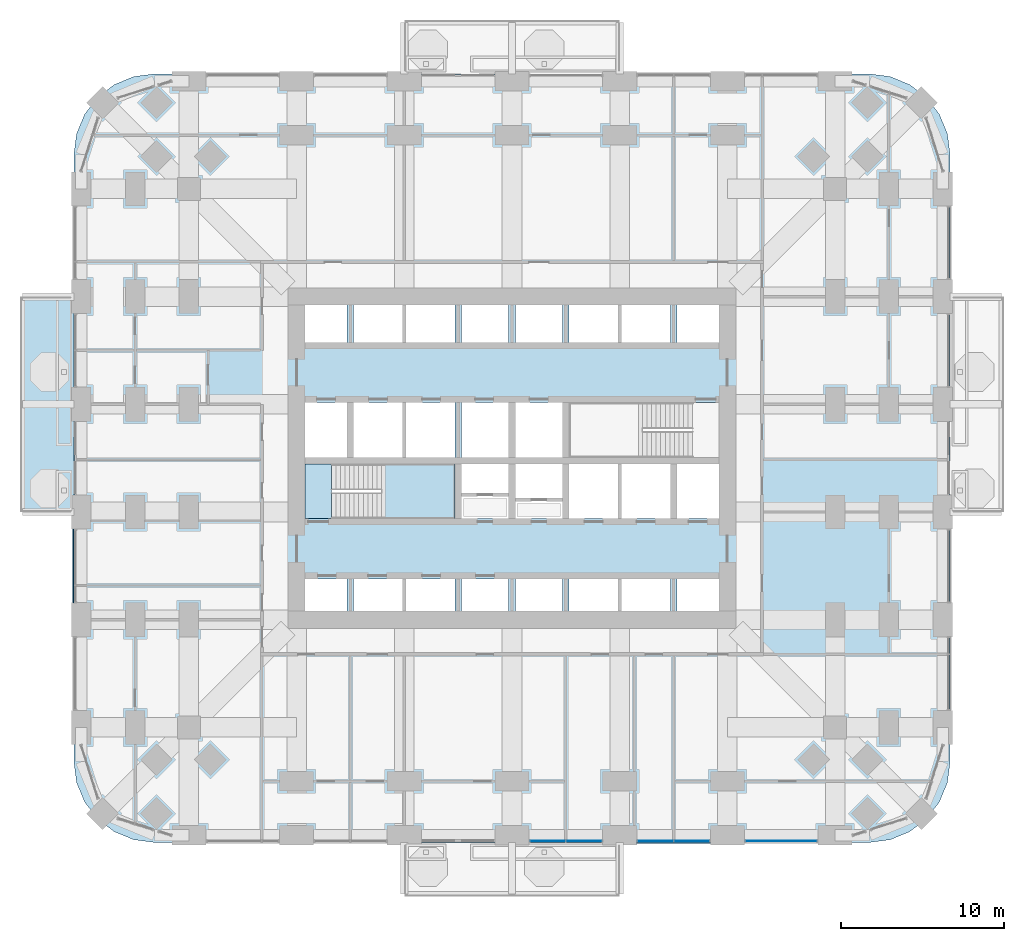
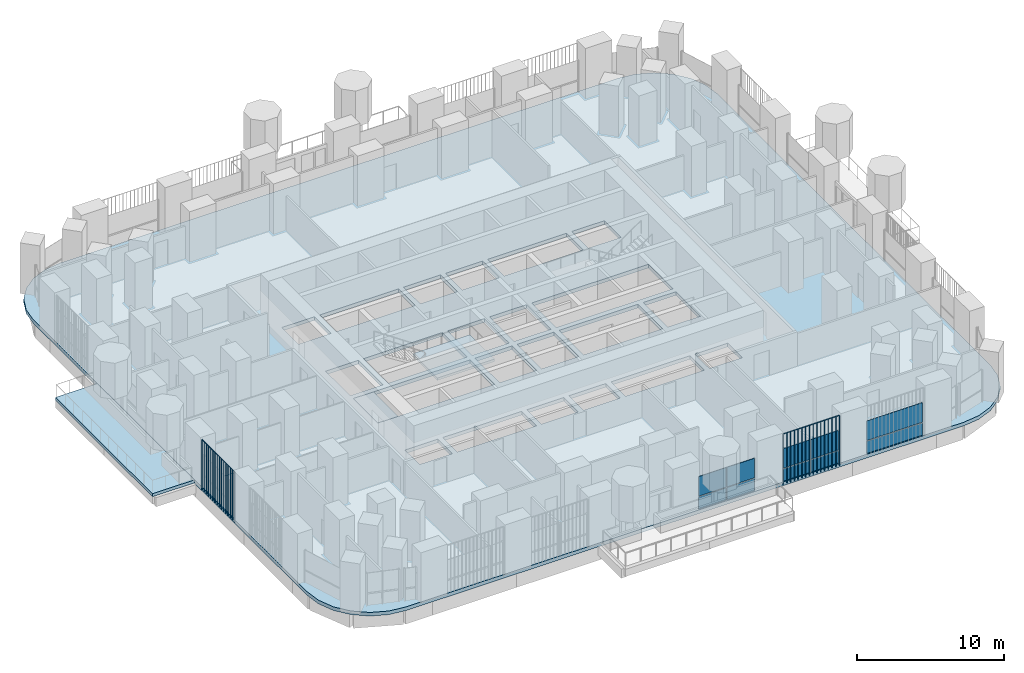
# One storey, part 12 of 26: 12 plates, 4 slabs, 4 elements without a shape of their own.
"""IFC4 building model written with IfcOpenShell, lengths in metres."""

from ifc_helpers import new_model, si_unit, direction, frame, origin, origin_2d, place, context, subcontext, project, spatial, polyline, rectangle, outline, extrude, material, layer, layer_set, type_object, element, aggregate, save


model = new_model("IFC4")

# Units and contexts
model_context = context("Model", 3, precision=1e-05, world=origin(), true_north=direction((0.0, 1.0)))
body_context = subcontext(model_context, "Body", "Model", "MODEL_VIEW")
ifc_project = project(units=[si_unit("LENGTHUNIT", "METRE"), si_unit("AREAUNIT", "SQUARE_METRE"), si_unit("VOLUMEUNIT", "CUBIC_METRE"), si_unit("PLANEANGLEUNIT", "RADIAN"), si_unit("MASSUNIT", "GRAM", prefix="KILO")], contexts=[model_context])

# Site, building, storey
site_placement = place(None, origin())
site = spatial("IfcSite", under=ifc_project, at=site_placement, CompositionType="ELEMENT")
building_placement = place(site_placement, origin())
building = spatial("IfcBuilding", under=site, at=building_placement, Name="Cobogo Forest Laboratory Tower", CompositionType="ELEMENT")
storey_placement = place(building_placement, frame((0.0, 0.0, 42.300048828125)))
storey = spatial("IfcBuildingStorey", under=building, at=storey_placement, Name="L09", CompositionType="ELEMENT", Elevation=42.300048828125)

# Slabs
ifc_material_1 = material(Name="Concrete HA-40 (C40/50)", Category="concrete")
ifc_layer_1 = layer(ifc_material_1, 0.25)
ifc_layer_set_1 = layer_set([ifc_layer_1], Name="Balcony slab 250")
slab_type_1 = type_object("IfcSlabType", Name="Balcony slab 250", PredefinedType="FLOOR", material=ifc_layer_set_1)
slab_1_placement = place(storey_placement, frame((0.0, 0.0, -0.25)))
element("IfcSlab", 1, at=slab_1_placement, inside=storey, type_object=slab_type_1, Name="Balcony BAL-W1 L09", PredefinedType="FLOOR", context=body_context, shape_type="SweptSolid", body=[
    extrude(outline(polyline([(-3.75, 19.800048828125), (-0.449951171875, 19.800048828125), (-0.449951171875, 33.0), (-3.75, 33.0), (-3.75, 19.800048828125)])), origin(), (0.0, 0.0, 1.0), 0.25),
])
ifc_layer_2 = layer(ifc_material_1, 0.300048828125)
ifc_layer_set_2 = layer_set([ifc_layer_2], Name="Floor slab 300")
slab_type_2 = type_object("IfcSlabType", Name="Floor slab 300", PredefinedType="FLOOR", material=ifc_layer_set_2)
slab_2_placement = place(storey_placement, frame((0.0, 0.0, -0.300048828125)))
element("IfcSlab", 2, at=slab_2_placement, inside=storey, type_object=slab_type_2, Name="L09 floor slab", PredefinedType="FLOOR", context=body_context, shape_type="SweptSolid", body=[
    extrude(outline(polyline([(48.300048828125, -0.449951171875), (49.5810546875, -0.28125), (50.77490234375, 0.213134765625), (51.80029296875, 0.999755859375), (52.5869140625, 2.02490234375), (53.081298828125, 3.21875), (53.25, 4.5), (53.25, 41.699951171875), (53.081298828125, 42.981201171875), (52.5869140625, 44.175048828125), (51.80029296875, 45.2001953125), (50.77490234375, 45.98681640625), (49.5810546875, 46.4814453125), (48.300048828125, 46.64990234375), (4.5, 46.64990234375), (3.21875, 46.4814453125), (2.02490234375, 45.98681640625), (0.999755859375, 45.2001953125), (0.213134765625, 44.175048828125), (-0.28125, 42.981201171875), (-0.449951171875, 41.699951171875), (-0.449951171875, 4.5), (-0.28125, 3.21875), (0.213134765625, 2.02490234375), (0.999755859375, 0.999755859375), (2.02490234375, 0.213134765625), (3.21875, -0.28125), (4.5, -0.449951171875), (48.300048828125, -0.449951171875)]), holes=[polyline([(16.300048828125, 13.72509765625), (13.72509765625, 13.72509765625), (13.72509765625, 15.699951171875), (16.300048828125, 15.699951171875), (16.300048828125, 13.72509765625)]), polyline([(22.89990234375, 15.699951171875), (22.89990234375, 13.72509765625), (16.699951171875, 13.72509765625), (16.699951171875, 15.699951171875), (22.89990234375, 15.699951171875)]), polyline([(23.300048828125, 13.72509765625), (23.300048828125, 15.699951171875), (26.199951171875, 15.699951171875), (26.199951171875, 13.72509765625), (23.300048828125, 13.72509765625)]), polyline([(29.5, 13.72509765625), (26.60009765625, 13.72509765625), (26.60009765625, 15.699951171875), (29.5, 15.699951171875), (29.5, 13.72509765625)]), polyline([(36.10009765625, 15.699951171875), (36.10009765625, 13.72509765625), (29.89990234375, 13.72509765625), (29.89990234375, 15.699951171875), (36.10009765625, 15.699951171875)]), polyline([(36.5, 13.72509765625), (36.5, 15.699951171875), (39.074951171875, 15.699951171875), (39.074951171875, 13.72509765625), (36.5, 13.72509765625)]), polyline([(13.72509765625, 19.39990234375), (13.72509765625, 22.75), (22.89990234375, 22.75), (22.89990234375, 19.39990234375), (13.72509765625, 19.39990234375)]), polyline([(23.300048828125, 19.39990234375), (23.300048828125, 22.75), (26.199951171875, 22.75), (26.199951171875, 19.39990234375), (23.300048828125, 19.39990234375)]), polyline([(26.60009765625, 19.39990234375), (26.60009765625, 22.75), (29.5, 22.75), (29.5, 19.39990234375), (26.60009765625, 19.39990234375)]), polyline([(36.10009765625, 22.75), (36.10009765625, 19.39990234375), (29.89990234375, 19.39990234375), (29.89990234375, 22.75), (36.10009765625, 22.75)]), polyline([(39.074951171875, 19.39990234375), (36.5, 19.39990234375), (36.5, 22.75), (39.074951171875, 22.75), (39.074951171875, 19.39990234375)]), polyline([(13.72509765625, 23.14990234375), (13.72509765625, 26.5), (16.300048828125, 26.5), (16.300048828125, 23.14990234375), (13.72509765625, 23.14990234375)]), polyline([(22.89990234375, 26.5), (22.89990234375, 23.14990234375), (16.699951171875, 23.14990234375), (16.699951171875, 26.5), (22.89990234375, 26.5)]), polyline([(23.300048828125, 23.14990234375), (23.300048828125, 26.5), (26.199951171875, 26.5), (26.199951171875, 23.14990234375), (23.300048828125, 23.14990234375)]), polyline([(26.60009765625, 23.14990234375), (26.60009765625, 26.5), (29.5, 26.5), (29.5, 23.14990234375), (26.60009765625, 23.14990234375)]), polyline([(29.89990234375, 23.14990234375), (29.89990234375, 26.5), (39.074951171875, 26.5), (39.074951171875, 23.14990234375), (29.89990234375, 23.14990234375)]), polyline([(13.72509765625, 30.199951171875), (13.72509765625, 32.47509765625), (16.300048828125, 32.47509765625), (16.300048828125, 30.199951171875), (13.72509765625, 30.199951171875)]), polyline([(22.89990234375, 32.47509765625), (22.89990234375, 30.199951171875), (16.699951171875, 30.199951171875), (16.699951171875, 32.47509765625), (22.89990234375, 32.47509765625)]), polyline([(23.300048828125, 30.199951171875), (23.300048828125, 32.47509765625), (26.199951171875, 32.47509765625), (26.199951171875, 30.199951171875), (23.300048828125, 30.199951171875)]), polyline([(26.60009765625, 30.199951171875), (26.60009765625, 32.47509765625), (29.5, 32.47509765625), (29.5, 30.199951171875), (26.60009765625, 30.199951171875)]), polyline([(36.10009765625, 32.47509765625), (36.10009765625, 30.199951171875), (29.89990234375, 30.199951171875), (29.89990234375, 32.47509765625), (36.10009765625, 32.47509765625)]), polyline([(36.5, 30.199951171875), (36.5, 32.47509765625), (39.074951171875, 32.47509765625), (39.074951171875, 30.199951171875), (36.5, 30.199951171875)])]), origin(), (0.0, 0.0, 1.0), 0.300048828125),
])

# Curtain wall, plates
ifc_material_2 = material(Name="Aluminium curtain wall", Category="aluminium")
curtain_wall_type = type_object("IfcCurtainWallType", Name="CW-1 unitised curtain wall, clear glazing, laboratory floors zones A and B", PredefinedType="USERDEFINED", material=ifc_material_2)
curtain_wall_1_placement = place(storey_placement, origin())
curtain_wall_1 = element("IfcCurtainWall", 3, at=curtain_wall_1_placement, inside=storey, type_object=curtain_wall_type, Name="Curtain wall 04 L09", ObjectType="UNITISED CURTAIN WALL", PredefinedType="USERDEFINED")
ifc_material_3 = material(Name="Clear insulated glass", Category="glass")
ifc_layer_3 = layer(ifc_material_3, 0.028076171875)
ifc_layer_set_3 = layer_set([ifc_layer_3], Name="GP-1 clear insulated glass unit 28")
plate_type_1 = type_object("IfcPlateType", Name="GP-1 clear insulated glass unit 28", PredefinedType="CURTAIN_PANEL", material=ifc_layer_set_3)
plate_1_placement = place(storey_placement, frame((28.590087890625, -0.35009765625, 0.0), z_axis=(0.0, 0.0, 1.0), x_axis=(1.0, 0.0, 0.0)))
plate_1 = element("IfcPlate", 4, at=plate_1_placement, type_object=plate_type_1, Name="CW-1 panel 1.1", PredefinedType="CURTAIN_PANEL", context=body_context, shape_type="SweptSolid", body=[
    extrude(rectangle(XDim=2.159912109375, YDim=0.028076171875, at=origin_2d()), origin(), (0.0, 0.0, 1.0), 1.02001953125),
])
plate_2_placement = place(storey_placement, frame((28.590087890625, -0.35009765625, 1.079833984375), z_axis=(0.0, 0.0, 1.0), x_axis=(1.0, 0.0, 0.0)))
plate_2 = element("IfcPlate", 5, at=plate_2_placement, type_object=plate_type_1, Name="CW-1 panel 1.2", PredefinedType="CURTAIN_PANEL", context=body_context, shape_type="SweptSolid", body=[
    extrude(rectangle(XDim=2.159912109375, YDim=0.028076171875, at=origin_2d()), origin(), (0.0, 0.0, 1.0), 1.6201171875),
])
plate_3_placement = place(storey_placement, frame((30.81005859375, -0.35009765625, 0.0), z_axis=(0.0, 0.0, 1.0), x_axis=(1.0, 0.0, 0.0)))
plate_3 = element("IfcPlate", 6, at=plate_3_placement, type_object=plate_type_1, Name="CW-1 panel 2.1", PredefinedType="CURTAIN_PANEL", context=body_context, shape_type="SweptSolid", body=[
    extrude(rectangle(XDim=2.159912109375, YDim=0.028076171875, at=origin_2d()), origin(), (0.0, 0.0, 1.0), 1.02001953125),
])
plate_4_placement = place(storey_placement, frame((30.81005859375, -0.35009765625, 1.079833984375), z_axis=(0.0, 0.0, 1.0), x_axis=(1.0, 0.0, 0.0)))
plate_4 = element("IfcPlate", 7, at=plate_4_placement, type_object=plate_type_1, Name="CW-1 panel 2.2", PredefinedType="CURTAIN_PANEL", context=body_context, shape_type="SweptSolid", body=[
    extrude(rectangle(XDim=2.159912109375, YDim=0.028076171875, at=origin_2d()), origin(), (0.0, 0.0, 1.0), 1.6201171875),
])
aggregate(curtain_wall_1, [plate_1, plate_2, plate_3, plate_4])

curtain_wall_2_placement = place(storey_placement, origin())
curtain_wall_2 = element("IfcCurtainWall", 8, at=curtain_wall_2_placement, inside=storey, type_object=curtain_wall_type, Name="Curtain wall 05 L09", ObjectType="UNITISED CURTAIN WALL", PredefinedType="USERDEFINED")
plate_5_placement = place(storey_placement, frame((35.18994140625, -0.35009765625, 0.0), z_axis=(0.0, 0.0, 1.0), x_axis=(1.0, 0.0, 0.0)))
plate_5 = element("IfcPlate", 9, at=plate_5_placement, type_object=plate_type_1, Name="CW-1 panel 1.1", PredefinedType="CURTAIN_PANEL", context=body_context, shape_type="SweptSolid", body=[
    extrude(rectangle(XDim=2.159912109375, YDim=0.028076171875, at=origin_2d()), origin(), (0.0, 0.0, 1.0), 1.02001953125),
])
plate_6_placement = place(storey_placement, frame((35.18994140625, -0.35009765625, 1.079833984375), z_axis=(0.0, 0.0, 1.0), x_axis=(1.0, 0.0, 0.0)))
plate_6 = element("IfcPlate", 10, at=plate_6_placement, type_object=plate_type_1, Name="CW-1 panel 1.2", PredefinedType="CURTAIN_PANEL", context=body_context, shape_type="SweptSolid", body=[
    extrude(rectangle(XDim=2.159912109375, YDim=0.028076171875, at=origin_2d()), origin(), (0.0, 0.0, 1.0), 1.6201171875),
])
plate_7_placement = place(storey_placement, frame((37.409912109375, -0.35009765625, 0.0), z_axis=(0.0, 0.0, 1.0), x_axis=(1.0, 0.0, 0.0)))
plate_7 = element("IfcPlate", 11, at=plate_7_placement, type_object=plate_type_1, Name="CW-1 panel 2.1", PredefinedType="CURTAIN_PANEL", context=body_context, shape_type="SweptSolid", body=[
    extrude(rectangle(XDim=2.159912109375, YDim=0.028076171875, at=origin_2d()), origin(), (0.0, 0.0, 1.0), 1.02001953125),
])
plate_8_placement = place(storey_placement, frame((37.409912109375, -0.35009765625, 1.079833984375), z_axis=(0.0, 0.0, 1.0), x_axis=(1.0, 0.0, 0.0)))
plate_8 = element("IfcPlate", 12, at=plate_8_placement, type_object=plate_type_1, Name="CW-1 panel 2.2", PredefinedType="CURTAIN_PANEL", context=body_context, shape_type="SweptSolid", body=[
    extrude(rectangle(XDim=2.159912109375, YDim=0.028076171875, at=origin_2d()), origin(), (0.0, 0.0, 1.0), 1.6201171875),
])
aggregate(curtain_wall_2, [plate_5, plate_6, plate_7, plate_8])

curtain_wall_3_placement = place(storey_placement, origin())
curtain_wall_3 = element("IfcCurtainWall", 13, at=curtain_wall_3_placement, inside=storey, type_object=curtain_wall_type, Name="Curtain wall 06 L09", ObjectType="UNITISED CURTAIN WALL", PredefinedType="USERDEFINED")
plate_9_placement = place(storey_placement, frame((42.89990234375, -0.35009765625, 0.0), z_axis=(0.0, 0.0, 1.0), x_axis=(1.0, 0.0, 0.0)))
plate_9 = element("IfcPlate", 14, at=plate_9_placement, type_object=plate_type_1, Name="CW-1 panel 1.1", PredefinedType="CURTAIN_PANEL", context=body_context, shape_type="SweptSolid", body=[
    extrude(rectangle(XDim=4.3798828125, YDim=0.028076171875, at=origin_2d()), origin(), (0.0, 0.0, 1.0), 1.02001953125),
])
plate_10_placement = place(storey_placement, frame((42.89990234375, -0.35009765625, 1.079833984375), z_axis=(0.0, 0.0, 1.0), x_axis=(1.0, 0.0, 0.0)))
plate_10 = element("IfcPlate", 15, at=plate_10_placement, type_object=plate_type_1, Name="CW-1 panel 1.2", PredefinedType="CURTAIN_PANEL", context=body_context, shape_type="SweptSolid", body=[
    extrude(rectangle(XDim=4.3798828125, YDim=0.028076171875, at=origin_2d()), origin(), (0.0, 0.0, 1.0), 1.6201171875),
])
aggregate(curtain_wall_3, [plate_9, plate_10])

# Stair, slabs
ifc_material_4 = material(Name="Precast concrete HA-40 (C40/50)", Category="concrete")
stair_type = type_object("IfcStairType", Name="ST24 exit stair 24 risers", PredefinedType="HALF_TURN_STAIR", material=ifc_material_4)
stair_placement = place(storey_placement, origin())
stair = element("IfcStair", 16, at=stair_placement, inside=storey, type_object=stair_type, Name="Stair 1 L09 to L10", PredefinedType="HALF_TURN_STAIR")
ifc_layer_4 = layer(ifc_material_1, 0.199951171875)
ifc_layer_set_4 = layer_set([ifc_layer_4], Name="SL stair landing 200")
slab_type_3 = type_object("IfcSlabType", Name="SL stair landing 200", PredefinedType="LANDING", material=ifc_layer_set_4)
slab_3_placement = place(storey_placement, frame((0.0, 0.0, -0.199951171875)))
slab_3 = element("IfcSlab", 17, at=slab_3_placement, type_object=slab_type_3, Name="ST1 landing 1", PredefinedType="LANDING", context=body_context, shape_type="SweptSolid", body=[
    extrude(outline(polyline([(13.72509765625, 19.39990234375), (15.326904296875, 19.39990234375), (15.326904296875, 22.75), (13.72509765625, 22.75), (13.72509765625, 19.39990234375)])), origin(), (0.0, 0.0, 1.0), 0.199951171875),
])
slab_4_placement = place(storey_placement, frame((0.0, 0.0, 1.89990234375)))
slab_4 = element("IfcSlab", 18, at=slab_4_placement, type_object=slab_type_3, Name="ST1 landing 2", PredefinedType="LANDING", context=body_context, shape_type="SweptSolid", body=[
    extrude(outline(polyline([(18.403076171875, 19.39990234375), (22.89990234375, 19.39990234375), (22.89990234375, 22.75), (18.403076171875, 22.75), (18.403076171875, 19.39990234375)])), origin(), (0.0, 0.0, 1.0), 0.199951171875),
])
aggregate(stair, [slab_3, slab_4])

# Plates
ifc_material_5 = material(Name="Terracotta", Category="masonry")
plate_type_2 = type_object("IfcPlateType", Name="TB1 terracotta baguette screen", PredefinedType="USERDEFINED", material=ifc_material_5)
plate_11_placement = place(storey_placement, frame((34.081298828125, -0.477783203125, -0.150146484375)))
element("IfcPlate", 19, at=plate_11_placement, inside=storey, type_object=plate_type_2, Name="Baguette screen S5 L09", ObjectType="BAGUETTE SCREEN", PredefinedType="USERDEFINED", context=body_context, shape_type="SweptSolid", body=[
    extrude(outline(polyline([(0.02880859375, 0.011962890625), (0.011962890625, 0.02880859375), (-0.011962890625, 0.02880859375), (-0.02880859375, 0.011962890625), (-0.02880859375, -0.011962890625), (-0.011962890625, -0.02880859375), (0.011962890625, -0.02880859375), (0.02880859375, -0.011962890625), (0.02880859375, 0.011962890625)])), frame((0.0, 0.0, 4.168701171875), z_axis=(1.0, 0.0, 0.0), x_axis=(0.0, 1.0, 0.0)), (0.0, 0.0, 1.0), 4.4375),
    extrude(outline(polyline([(0.02880859375, 0.011962890625), (0.011962890625, 0.02880859375), (-0.011962890625, 0.02880859375), (-0.02880859375, 0.011962890625), (-0.02880859375, -0.011962890625), (-0.011962890625, -0.02880859375), (0.011962890625, -0.02880859375), (0.02880859375, -0.011962890625), (0.02880859375, 0.011962890625)])), origin(), (0.0, 0.0, 1.0), 4.137451171875),
    extrude(outline(polyline([(0.02880859375, 0.011962890625), (0.011962890625, 0.02880859375), (-0.011962890625, 0.02880859375), (-0.02880859375, 0.011962890625), (-0.02880859375, -0.011962890625), (-0.011962890625, -0.02880859375), (0.011962890625, -0.02880859375), (0.02880859375, -0.011962890625), (0.02880859375, 0.011962890625)])), frame((0.2958984375, 0.0, 0.0)), (0.0, 0.0, 1.0), 4.137451171875),
    extrude(outline(polyline([(0.02880859375, 0.011962890625), (0.011962890625, 0.02880859375), (-0.011962890625, 0.02880859375), (-0.02880859375, 0.011962890625), (-0.02880859375, -0.011962890625), (-0.011962890625, -0.02880859375), (0.011962890625, -0.02880859375), (0.02880859375, -0.011962890625), (0.02880859375, 0.011962890625)])), frame((0.591552734375, 0.0, 0.0)), (0.0, 0.0, 1.0), 4.137451171875),
    extrude(outline(polyline([(0.02880859375, 0.011962890625), (0.011962890625, 0.02880859375), (-0.011962890625, 0.02880859375), (-0.02880859375, 0.011962890625), (-0.02880859375, -0.011962890625), (-0.011962890625, -0.02880859375), (0.011962890625, -0.02880859375), (0.02880859375, -0.011962890625), (0.02880859375, 0.011962890625)])), frame((0.887451171875, 0.0, 0.0)), (0.0, 0.0, 1.0), 4.137451171875),
    extrude(outline(polyline([(0.02880859375, 0.011962890625), (0.011962890625, 0.02880859375), (-0.011962890625, 0.02880859375), (-0.02880859375, 0.011962890625), (-0.02880859375, -0.011962890625), (-0.011962890625, -0.02880859375), (0.011962890625, -0.02880859375), (0.02880859375, -0.011962890625), (0.02880859375, 0.011962890625)])), frame((1.183349609375, 0.0, 0.0)), (0.0, 0.0, 1.0), 4.137451171875),
    extrude(outline(polyline([(0.02880859375, 0.011962890625), (0.011962890625, 0.02880859375), (-0.011962890625, 0.02880859375), (-0.02880859375, 0.011962890625), (-0.02880859375, -0.011962890625), (-0.011962890625, -0.02880859375), (0.011962890625, -0.02880859375), (0.02880859375, -0.011962890625), (0.02880859375, 0.011962890625)])), frame((1.479248046875, 0.0, 0.0)), (0.0, 0.0, 1.0), 4.137451171875),
    extrude(outline(polyline([(0.02880859375, 0.011962890625), (0.011962890625, 0.02880859375), (-0.011962890625, 0.02880859375), (-0.02880859375, 0.011962890625), (-0.02880859375, -0.011962890625), (-0.011962890625, -0.02880859375), (0.011962890625, -0.02880859375), (0.02880859375, -0.011962890625), (0.02880859375, 0.011962890625)])), frame((1.77490234375, 0.0, 0.0)), (0.0, 0.0, 1.0), 4.137451171875),
    extrude(outline(polyline([(0.02880859375, 0.011962890625), (0.011962890625, 0.02880859375), (-0.011962890625, 0.02880859375), (-0.02880859375, 0.011962890625), (-0.02880859375, -0.011962890625), (-0.011962890625, -0.02880859375), (0.011962890625, -0.02880859375), (0.02880859375, -0.011962890625), (0.02880859375, 0.011962890625)])), frame((2.07080078125, 0.0, 0.0)), (0.0, 0.0, 1.0), 4.137451171875),
    extrude(outline(polyline([(0.02880859375, 0.011962890625), (0.011962890625, 0.02880859375), (-0.011962890625, 0.02880859375), (-0.02880859375, 0.011962890625), (-0.02880859375, -0.011962890625), (-0.011962890625, -0.02880859375), (0.011962890625, -0.02880859375), (0.02880859375, -0.011962890625), (0.02880859375, 0.011962890625)])), frame((2.36669921875, 0.0, 0.0)), (0.0, 0.0, 1.0), 4.137451171875),
    extrude(outline(polyline([(0.02880859375, 0.011962890625), (0.011962890625, 0.02880859375), (-0.011962890625, 0.02880859375), (-0.02880859375, 0.011962890625), (-0.02880859375, -0.011962890625), (-0.011962890625, -0.02880859375), (0.011962890625, -0.02880859375), (0.02880859375, -0.011962890625), (0.02880859375, 0.011962890625)])), frame((2.66259765625, 0.0, 0.0)), (0.0, 0.0, 1.0), 4.137451171875),
    extrude(outline(polyline([(0.02880859375, 0.011962890625), (0.011962890625, 0.02880859375), (-0.011962890625, 0.02880859375), (-0.02880859375, 0.011962890625), (-0.02880859375, -0.011962890625), (-0.011962890625, -0.02880859375), (0.011962890625, -0.02880859375), (0.02880859375, -0.011962890625), (0.02880859375, 0.011962890625)])), frame((2.958251953125, 0.0, 0.0)), (0.0, 0.0, 1.0), 4.137451171875),
    extrude(outline(polyline([(0.02880859375, 0.011962890625), (0.011962890625, 0.02880859375), (-0.011962890625, 0.02880859375), (-0.02880859375, 0.011962890625), (-0.02880859375, -0.011962890625), (-0.011962890625, -0.02880859375), (0.011962890625, -0.02880859375), (0.02880859375, -0.011962890625), (0.02880859375, 0.011962890625)])), frame((3.254150390625, 0.0, 0.0)), (0.0, 0.0, 1.0), 4.137451171875),
    extrude(outline(polyline([(0.02880859375, 0.011962890625), (0.011962890625, 0.02880859375), (-0.011962890625, 0.02880859375), (-0.02880859375, 0.011962890625), (-0.02880859375, -0.011962890625), (-0.011962890625, -0.02880859375), (0.011962890625, -0.02880859375), (0.02880859375, -0.011962890625), (0.02880859375, 0.011962890625)])), frame((3.550048828125, 0.0, 0.0)), (0.0, 0.0, 1.0), 4.137451171875),
    extrude(outline(polyline([(0.02880859375, 0.011962890625), (0.011962890625, 0.02880859375), (-0.011962890625, 0.02880859375), (-0.02880859375, 0.011962890625), (-0.02880859375, -0.011962890625), (-0.011962890625, -0.02880859375), (0.011962890625, -0.02880859375), (0.02880859375, -0.011962890625), (0.02880859375, 0.011962890625)])), frame((3.845947265625, 0.0, 0.0)), (0.0, 0.0, 1.0), 4.137451171875),
    extrude(outline(polyline([(0.02880859375, 0.011962890625), (0.011962890625, 0.02880859375), (-0.011962890625, 0.02880859375), (-0.02880859375, 0.011962890625), (-0.02880859375, -0.011962890625), (-0.011962890625, -0.02880859375), (0.011962890625, -0.02880859375), (0.02880859375, -0.011962890625), (0.02880859375, 0.011962890625)])), frame((4.1416015625, 0.0, 0.0)), (0.0, 0.0, 1.0), 4.137451171875),
    extrude(outline(polyline([(0.02880859375, 0.011962890625), (0.011962890625, 0.02880859375), (-0.011962890625, 0.02880859375), (-0.02880859375, 0.011962890625), (-0.02880859375, -0.011962890625), (-0.011962890625, -0.02880859375), (0.011962890625, -0.02880859375), (0.02880859375, -0.011962890625), (0.02880859375, 0.011962890625)])), frame((4.4375, 0.0, 0.0)), (0.0, 0.0, 1.0), 4.137451171875),
])
plate_12_placement = place(storey_placement, frame((-0.477783203125, 14.28125, -0.150146484375)))
element("IfcPlate", 20, at=plate_12_placement, inside=storey, type_object=plate_type_2, Name="Baguette screen W2 L09", ObjectType="BAGUETTE SCREEN", PredefinedType="USERDEFINED", context=body_context, shape_type="SweptSolid", body=[
    extrude(outline(polyline([(0.02880859375, 0.011962890625), (0.011962890625, 0.02880859375), (-0.011962890625, 0.02880859375), (-0.02880859375, 0.011962890625), (-0.02880859375, -0.011962890625), (-0.011962890625, -0.02880859375), (0.011962890625, -0.02880859375), (0.02880859375, -0.011962890625), (0.02880859375, 0.011962890625)])), frame((0.0, 0.0, 4.168701171875), z_axis=(0.0, 1.0, 0.0), x_axis=(-1.0, 0.0, 0.0)), (0.0, 0.0, 1.0), 4.4375),
    extrude(outline(polyline([(0.02880859375, 0.011962890625), (0.011962890625, 0.02880859375), (-0.011962890625, 0.02880859375), (-0.02880859375, 0.011962890625), (-0.02880859375, -0.011962890625), (-0.011962890625, -0.02880859375), (0.011962890625, -0.02880859375), (0.02880859375, -0.011962890625), (0.02880859375, 0.011962890625)])), origin(), (0.0, 0.0, 1.0), 4.137451171875),
    extrude(outline(polyline([(0.02880859375, 0.011962890625), (0.011962890625, 0.02880859375), (-0.011962890625, 0.02880859375), (-0.02880859375, 0.011962890625), (-0.02880859375, -0.011962890625), (-0.011962890625, -0.02880859375), (0.011962890625, -0.02880859375), (0.02880859375, -0.011962890625), (0.02880859375, 0.011962890625)])), frame((0.0, 0.2958984375, 0.0)), (0.0, 0.0, 1.0), 4.137451171875),
    extrude(outline(polyline([(0.02880859375, 0.011962890625), (0.011962890625, 0.02880859375), (-0.011962890625, 0.02880859375), (-0.02880859375, 0.011962890625), (-0.02880859375, -0.011962890625), (-0.011962890625, -0.02880859375), (0.011962890625, -0.02880859375), (0.02880859375, -0.011962890625), (0.02880859375, 0.011962890625)])), frame((0.0, 0.591552734375, 0.0)), (0.0, 0.0, 1.0), 4.137451171875),
    extrude(outline(polyline([(0.02880859375, 0.011962890625), (0.011962890625, 0.02880859375), (-0.011962890625, 0.02880859375), (-0.02880859375, 0.011962890625), (-0.02880859375, -0.011962890625), (-0.011962890625, -0.02880859375), (0.011962890625, -0.02880859375), (0.02880859375, -0.011962890625), (0.02880859375, 0.011962890625)])), frame((0.0, 0.887451171875, 0.0)), (0.0, 0.0, 1.0), 4.137451171875),
    extrude(outline(polyline([(0.02880859375, 0.011962890625), (0.011962890625, 0.02880859375), (-0.011962890625, 0.02880859375), (-0.02880859375, 0.011962890625), (-0.02880859375, -0.011962890625), (-0.011962890625, -0.02880859375), (0.011962890625, -0.02880859375), (0.02880859375, -0.011962890625), (0.02880859375, 0.011962890625)])), frame((0.0, 1.183349609375, 0.0)), (0.0, 0.0, 1.0), 4.137451171875),
    extrude(outline(polyline([(0.02880859375, 0.011962890625), (0.011962890625, 0.02880859375), (-0.011962890625, 0.02880859375), (-0.02880859375, 0.011962890625), (-0.02880859375, -0.011962890625), (-0.011962890625, -0.02880859375), (0.011962890625, -0.02880859375), (0.02880859375, -0.011962890625), (0.02880859375, 0.011962890625)])), frame((0.0, 1.479248046875, 0.0)), (0.0, 0.0, 1.0), 4.137451171875),
    extrude(outline(polyline([(0.02880859375, 0.011962890625), (0.011962890625, 0.02880859375), (-0.011962890625, 0.02880859375), (-0.02880859375, 0.011962890625), (-0.02880859375, -0.011962890625), (-0.011962890625, -0.02880859375), (0.011962890625, -0.02880859375), (0.02880859375, -0.011962890625), (0.02880859375, 0.011962890625)])), frame((0.0, 1.77490234375, 0.0)), (0.0, 0.0, 1.0), 4.137451171875),
    extrude(outline(polyline([(0.02880859375, 0.011962890625), (0.011962890625, 0.02880859375), (-0.011962890625, 0.02880859375), (-0.02880859375, 0.011962890625), (-0.02880859375, -0.011962890625), (-0.011962890625, -0.02880859375), (0.011962890625, -0.02880859375), (0.02880859375, -0.011962890625), (0.02880859375, 0.011962890625)])), frame((0.0, 2.07080078125, 0.0)), (0.0, 0.0, 1.0), 4.137451171875),
    extrude(outline(polyline([(0.02880859375, 0.011962890625), (0.011962890625, 0.02880859375), (-0.011962890625, 0.02880859375), (-0.02880859375, 0.011962890625), (-0.02880859375, -0.011962890625), (-0.011962890625, -0.02880859375), (0.011962890625, -0.02880859375), (0.02880859375, -0.011962890625), (0.02880859375, 0.011962890625)])), frame((0.0, 2.36669921875, 0.0)), (0.0, 0.0, 1.0), 4.137451171875),
    extrude(outline(polyline([(0.02880859375, 0.011962890625), (0.011962890625, 0.02880859375), (-0.011962890625, 0.02880859375), (-0.02880859375, 0.011962890625), (-0.02880859375, -0.011962890625), (-0.011962890625, -0.02880859375), (0.011962890625, -0.02880859375), (0.02880859375, -0.011962890625), (0.02880859375, 0.011962890625)])), frame((0.0, 2.66259765625, 0.0)), (0.0, 0.0, 1.0), 4.137451171875),
    extrude(outline(polyline([(0.02880859375, 0.011962890625), (0.011962890625, 0.02880859375), (-0.011962890625, 0.02880859375), (-0.02880859375, 0.011962890625), (-0.02880859375, -0.011962890625), (-0.011962890625, -0.02880859375), (0.011962890625, -0.02880859375), (0.02880859375, -0.011962890625), (0.02880859375, 0.011962890625)])), frame((0.0, 2.958251953125, 0.0)), (0.0, 0.0, 1.0), 4.137451171875),
    extrude(outline(polyline([(0.02880859375, 0.011962890625), (0.011962890625, 0.02880859375), (-0.011962890625, 0.02880859375), (-0.02880859375, 0.011962890625), (-0.02880859375, -0.011962890625), (-0.011962890625, -0.02880859375), (0.011962890625, -0.02880859375), (0.02880859375, -0.011962890625), (0.02880859375, 0.011962890625)])), frame((0.0, 3.254150390625, 0.0)), (0.0, 0.0, 1.0), 4.137451171875),
    extrude(outline(polyline([(0.02880859375, 0.011962890625), (0.011962890625, 0.02880859375), (-0.011962890625, 0.02880859375), (-0.02880859375, 0.011962890625), (-0.02880859375, -0.011962890625), (-0.011962890625, -0.02880859375), (0.011962890625, -0.02880859375), (0.02880859375, -0.011962890625), (0.02880859375, 0.011962890625)])), frame((0.0, 3.550048828125, 0.0)), (0.0, 0.0, 1.0), 4.137451171875),
    extrude(outline(polyline([(0.02880859375, 0.011962890625), (0.011962890625, 0.02880859375), (-0.011962890625, 0.02880859375), (-0.02880859375, 0.011962890625), (-0.02880859375, -0.011962890625), (-0.011962890625, -0.02880859375), (0.011962890625, -0.02880859375), (0.02880859375, -0.011962890625), (0.02880859375, 0.011962890625)])), frame((0.0, 3.845947265625, 0.0)), (0.0, 0.0, 1.0), 4.137451171875),
    extrude(outline(polyline([(0.02880859375, 0.011962890625), (0.011962890625, 0.02880859375), (-0.011962890625, 0.02880859375), (-0.02880859375, 0.011962890625), (-0.02880859375, -0.011962890625), (-0.011962890625, -0.02880859375), (0.011962890625, -0.02880859375), (0.02880859375, -0.011962890625), (0.02880859375, 0.011962890625)])), frame((0.0, 4.1416015625, 0.0)), (0.0, 0.0, 1.0), 4.137451171875),
    extrude(outline(polyline([(0.02880859375, 0.011962890625), (0.011962890625, 0.02880859375), (-0.011962890625, 0.02880859375), (-0.02880859375, 0.011962890625), (-0.02880859375, -0.011962890625), (-0.011962890625, -0.02880859375), (0.011962890625, -0.02880859375), (0.02880859375, -0.011962890625), (0.02880859375, 0.011962890625)])), frame((0.0, 4.4375, 0.0)), (0.0, 0.0, 1.0), 4.137451171875),
])

save(model, "model.ifc")
